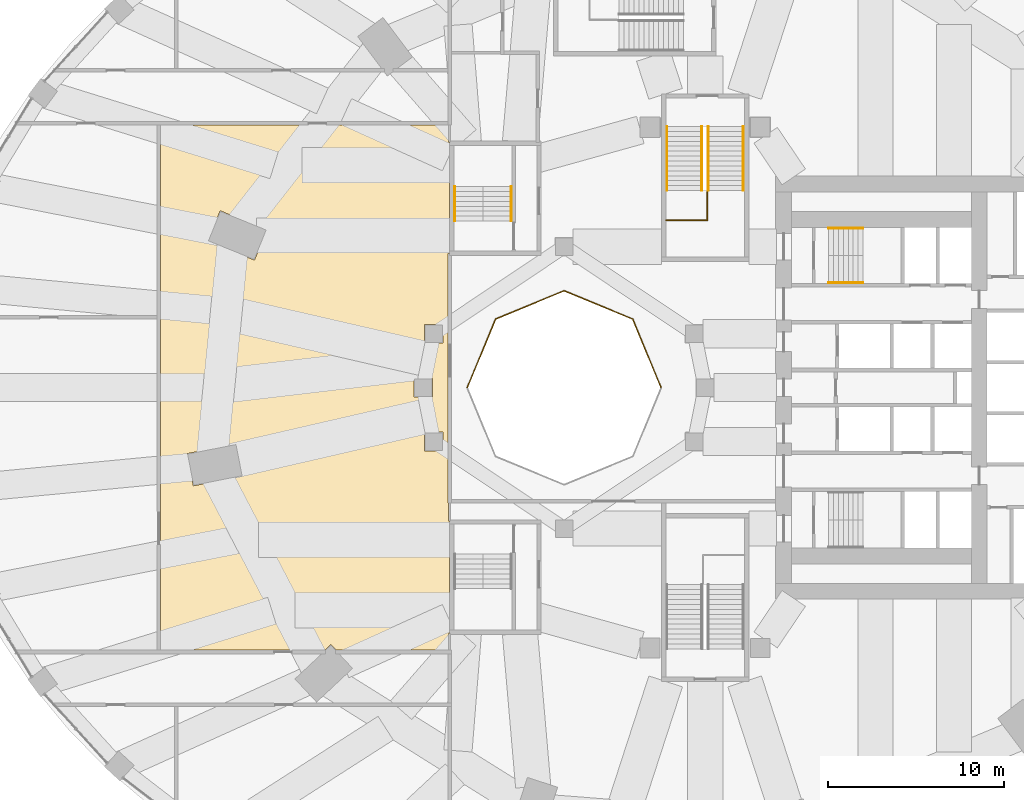
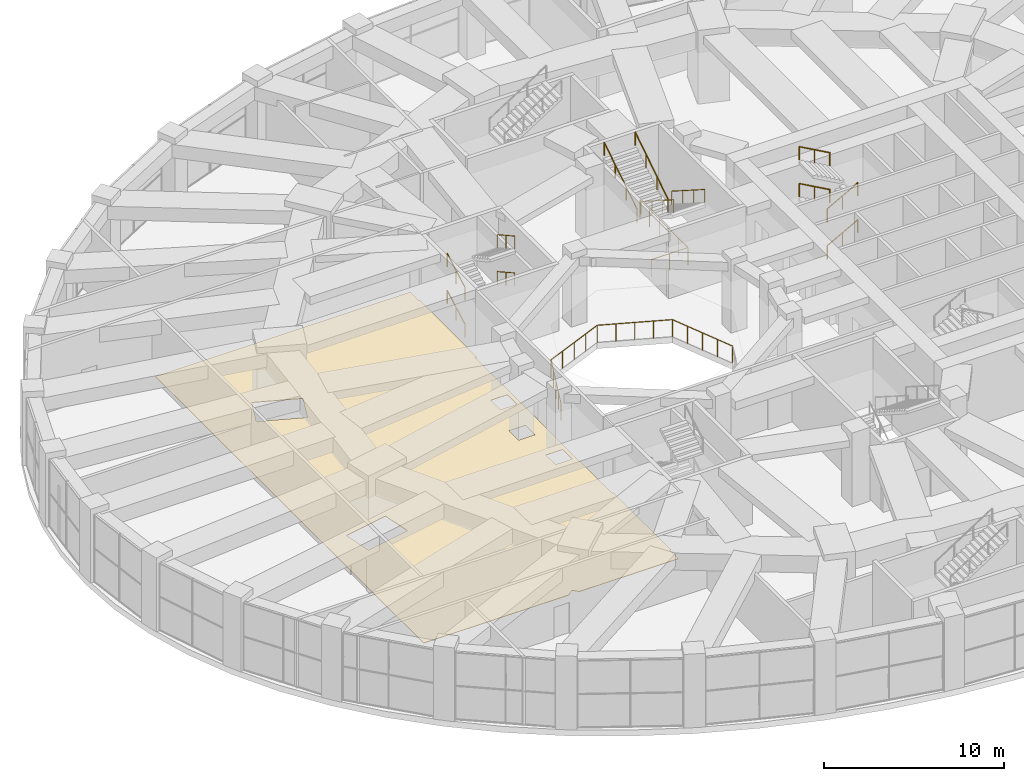
# One storey, part 29 of 32: 14 railings, 1 covering.
"""IFC4 building model written with IfcOpenShell, lengths in metres."""

from ifc_helpers import new_model, si_unit, direction, frame, origin, origin_2d, place, context, subcontext, project, spatial, polyline, circle, outline, extrude, material, layer, layer_set, type_object, element, save


model = new_model("IFC4")

# Units and contexts
model_context = context("Model", 3, precision=1e-05, world=origin(), true_north=direction((0.0, 1.0)))
body_context = subcontext(model_context, "Body", "Model", "MODEL_VIEW")
ifc_project = project(units=[si_unit("LENGTHUNIT", "METRE"), si_unit("AREAUNIT", "SQUARE_METRE"), si_unit("VOLUMEUNIT", "CUBIC_METRE"), si_unit("PLANEANGLEUNIT", "RADIAN"), si_unit("MASSUNIT", "GRAM", prefix="KILO")], contexts=[model_context])

# Site, building, storey
site_placement = place(None, origin())
site = spatial("IfcSite", under=ifc_project, at=site_placement, CompositionType="ELEMENT")
building_placement = place(site_placement, origin())
building = spatial("IfcBuilding", under=site, at=building_placement, Name="Taillehof Tower", CompositionType="ELEMENT")
storey_placement = place(building_placement, frame((0.0, 0.0, 7.5)))
storey = spatial("IfcBuildingStorey", under=building, at=storey_placement, Name="L01", CompositionType="ELEMENT", Elevation=7.5)

# Covering
ifc_material_1 = material(Name="Terrazzo floor finish")
ifc_layer = layer(ifc_material_1, 0.030029296875)
ifc_layer_set = layer_set([ifc_layer], Name="Floor finish 30 mm")
covering_type = type_object("IfcCoveringType", Name="Floor finish 30 mm", PredefinedType="FLOORING", material=ifc_layer_set)
covering_placement = place(storey_placement, origin())
element("IfcCovering", 1, at=covering_placement, inside=storey, type_object=covering_type, Name="Floor finish L01-20", PredefinedType="FLOORING", context=body_context, shape_type="SweptSolid", body=[
    extrude(outline(polyline([(-30.89990234375, -14.89990234375), (-30.89990234375, 3.89990234375), (-30.89990234375, 14.89990234375), (-14.60009765625, 14.89990234375), (-14.5625, 14.89990234375), (-14.5625, 13.9375), (-14.5, 13.9375), (-14.5, 7.60009765625), (-14.60009765625, 7.60009765625), (-14.60009765625, -6.550048828125), (-14.5625, -6.550048828125), (-14.5625, -7.5625), (-14.5, -7.5625), (-14.5, -13.9375), (-14.5625, -13.9375), (-14.5625, -14.89990234375), (-20.92724609375, -14.89990234375), (-21.211669921875, -14.59619140625), (-21.2138671875, -14.593994140625), (-21.216064453125, -14.59228515625), (-21.218505859375, -14.590576171875), (-21.22119140625, -14.58935546875), (-21.223876953125, -14.588134765625), (-21.226806640625, -14.58740234375), (-21.229736328125, -14.5869140625), (-21.232666015625, -14.586669921875), (-21.235595703125, -14.586669921875), (-21.238525390625, -14.5869140625), (-21.241455078125, -14.587646484375), (-21.244140625, -14.588623046875), (-21.246826171875, -14.589599609375), (-21.24951171875, -14.591064453125), (-21.251953125, -14.5927734375), (-21.254150390625, -14.5947265625), (-21.580322265625, -14.89990234375), (-30.89990234375, -14.89990234375)]), holes=[polyline([(-26.614990234375, -3.201904296875), (-26.617919921875, -3.201416015625), (-26.620849609375, -3.201416015625), (-26.623779296875, -3.201416015625), (-26.626708984375, -3.201904296875), (-29.3740234375, -3.7421875), (-29.376708984375, -3.742919921875), (-29.379638671875, -3.743896484375), (-29.38232421875, -3.7451171875), (-29.384765625, -3.746826171875), (-29.38720703125, -3.74853515625), (-29.389404296875, -3.75048828125), (-29.391357421875, -3.752685546875), (-29.39306640625, -3.7548828125), (-29.39453125, -3.757568359375), (-29.395751953125, -3.76025390625), (-29.39697265625, -3.762939453125), (-29.397705078125, -3.765869140625), (-29.39794921875, -3.768798828125), (-29.398193359375, -3.771728515625), (-29.39794921875, -3.774658203125), (-29.397705078125, -3.777587890625), (-29.05029296875, -5.543701171875), (-29.049560546875, -5.546630859375), (-29.048583984375, -5.54931640625), (-29.04736328125, -5.552001953125), (-29.0458984375, -5.554443359375), (-29.0439453125, -5.556884765625), (-29.0419921875, -5.55908203125), (-29.039794921875, -5.56103515625), (-29.03759765625, -5.562744140625), (-29.034912109375, -5.564208984375), (-29.032470703125, -5.565673828125), (-29.029541015625, -5.566650390625), (-29.02685546875, -5.5673828125), (-29.02392578125, -5.567626953125), (-29.02099609375, -5.56787109375), (-29.01806640625, -5.567626953125), (-29.01513671875, -5.5673828125), (-26.267578125, -5.02685546875), (-26.264892578125, -5.0263671875), (-26.261962890625, -5.025390625), (-26.25927734375, -5.02392578125), (-26.2568359375, -5.0224609375), (-26.25439453125, -5.020751953125), (-26.252197265625, -5.018798828125), (-26.250244140625, -5.0166015625), (-26.24853515625, -5.01416015625), (-26.2470703125, -5.01171875), (-26.245849609375, -5.009033203125), (-26.244873046875, -5.00634765625), (-26.244140625, -5.00341796875), (-26.24365234375, -5.00048828125), (-26.243408203125, -4.99755859375), (-26.24365234375, -4.99462890625), (-26.244140625, -4.99169921875), (-26.59130859375, -3.2255859375), (-26.592041015625, -3.22265625), (-26.593017578125, -3.219970703125), (-26.59423828125, -3.21728515625), (-26.595947265625, -3.21484375), (-26.59765625, -3.21240234375), (-26.599609375, -3.210205078125), (-26.601806640625, -3.208251953125), (-26.60400390625, -3.20654296875), (-26.606689453125, -3.204833984375), (-26.609375, -3.20361328125), (-26.612060546875, -3.20263671875), (-26.614990234375, -3.201904296875)]), polyline([(-15.902587890625, -3.589111328125), (-15.899658203125, -3.590087890625), (-15.89697265625, -3.5908203125), (-15.89404296875, -3.59130859375), (-15.89111328125, -3.591552734375), (-14.89111328125, -3.591552734375), (-14.88818359375, -3.59130859375), (-14.88525390625, -3.5908203125), (-14.88232421875, -3.590087890625), (-14.879638671875, -3.589111328125), (-14.876953125, -3.587890625), (-14.874267578125, -3.58642578125), (-14.8720703125, -3.584716796875), (-14.869873046875, -3.582763671875), (-14.867919921875, -3.58056640625), (-14.8662109375, -3.578125), (-14.864501953125, -3.57568359375), (-14.86328125, -3.572998046875), (-14.8623046875, -3.570068359375), (-14.861572265625, -3.5673828125), (-14.861083984375, -3.564453125), (-14.861083984375, -3.5615234375), (-14.861083984375, -2.5615234375), (-14.861083984375, -2.55859375), (-14.861572265625, -2.5556640625), (-14.8623046875, -2.552734375), (-14.86328125, -2.550048828125), (-14.864501953125, -2.54736328125), (-14.8662109375, -2.544921875), (-14.867919921875, -2.54248046875), (-14.869873046875, -2.540283203125), (-14.8720703125, -2.538330078125), (-14.874267578125, -2.53662109375), (-14.876953125, -2.534912109375), (-14.879638671875, -2.53369140625), (-14.88232421875, -2.53271484375), (-14.88525390625, -2.531982421875), (-14.88818359375, -2.531494140625), (-14.89111328125, -2.531494140625), (-15.89111328125, -2.531494140625), (-15.89404296875, -2.531494140625), (-15.89697265625, -2.531982421875), (-15.899658203125, -2.53271484375), (-15.902587890625, -2.53369140625), (-15.9052734375, -2.534912109375), (-15.90771484375, -2.53662109375), (-15.91015625, -2.538330078125), (-15.912353515625, -2.540283203125), (-15.914306640625, -2.54248046875), (-15.916015625, -2.544921875), (-15.91748046875, -2.54736328125), (-15.918701171875, -2.550048828125), (-15.919677734375, -2.552734375), (-15.92041015625, -2.5556640625), (-15.9208984375, -2.55859375), (-15.921142578125, -2.5615234375), (-15.921142578125, -3.5615234375), (-15.9208984375, -3.564453125), (-15.92041015625, -3.5673828125), (-15.919677734375, -3.570068359375), (-15.918701171875, -3.572998046875), (-15.91748046875, -3.57568359375), (-15.916015625, -3.578125), (-15.914306640625, -3.58056640625), (-15.912353515625, -3.582763671875), (-15.91015625, -3.584716796875), (-15.90771484375, -3.58642578125), (-15.9052734375, -3.587890625), (-15.902587890625, -3.589111328125)]), polyline([(-16.511474609375, -0.52783203125), (-16.5087890625, -0.52880859375), (-16.505859375, -0.529541015625), (-16.5029296875, -0.52978515625), (-16.5, -0.530029296875), (-15.5, -0.530029296875), (-15.4970703125, -0.52978515625), (-15.494140625, -0.529541015625), (-15.4912109375, -0.52880859375), (-15.488525390625, -0.52783203125), (-15.48583984375, -0.5263671875), (-15.4833984375, -0.52490234375), (-15.48095703125, -0.523193359375), (-15.478759765625, -0.521240234375), (-15.476806640625, -0.51904296875), (-15.47509765625, -0.5166015625), (-15.4736328125, -0.51416015625), (-15.47216796875, -0.511474609375), (-15.47119140625, -0.5087890625), (-15.470458984375, -0.505859375), (-15.47021484375, -0.5029296875), (-15.469970703125, -0.5), (-15.469970703125, 0.5), (-15.47021484375, 0.5029296875), (-15.470458984375, 0.505859375), (-15.47119140625, 0.5087890625), (-15.47216796875, 0.511474609375), (-15.4736328125, 0.51416015625), (-15.47509765625, 0.5166015625), (-15.476806640625, 0.51904296875), (-15.478759765625, 0.521240234375), (-15.48095703125, 0.523193359375), (-15.4833984375, 0.52490234375), (-15.48583984375, 0.5263671875), (-15.488525390625, 0.52783203125), (-15.4912109375, 0.52880859375), (-15.494140625, 0.529541015625), (-15.4970703125, 0.52978515625), (-15.5, 0.530029296875), (-16.5, 0.530029296875), (-16.5029296875, 0.52978515625), (-16.505859375, 0.529541015625), (-16.5087890625, 0.52880859375), (-16.511474609375, 0.52783203125), (-16.51416015625, 0.5263671875), (-16.5166015625, 0.52490234375), (-16.51904296875, 0.523193359375), (-16.521240234375, 0.521240234375), (-16.523193359375, 0.51904296875), (-16.52490234375, 0.5166015625), (-16.5263671875, 0.51416015625), (-16.52783203125, 0.511474609375), (-16.52880859375, 0.5087890625), (-16.529541015625, 0.505859375), (-16.52978515625, 0.5029296875), (-16.530029296875, 0.5), (-16.530029296875, -0.5), (-16.52978515625, -0.5029296875), (-16.529541015625, -0.505859375), (-16.52880859375, -0.5087890625), (-16.52783203125, -0.511474609375), (-16.5263671875, -0.51416015625), (-16.52490234375, -0.5166015625), (-16.523193359375, -0.51904296875), (-16.521240234375, -0.521240234375), (-16.51904296875, -0.523193359375), (-16.5166015625, -0.52490234375), (-16.51416015625, -0.5263671875), (-16.511474609375, -0.52783203125)]), polyline([(-15.902587890625, 2.53369140625), (-15.899658203125, 2.53271484375), (-15.89697265625, 2.531982421875), (-15.89404296875, 2.531494140625), (-15.89111328125, 2.531494140625), (-14.89111328125, 2.531494140625), (-14.88818359375, 2.531494140625), (-14.88525390625, 2.531982421875), (-14.88232421875, 2.53271484375), (-14.879638671875, 2.53369140625), (-14.876953125, 2.534912109375), (-14.874267578125, 2.53662109375), (-14.8720703125, 2.538330078125), (-14.869873046875, 2.540283203125), (-14.867919921875, 2.54248046875), (-14.8662109375, 2.544921875), (-14.864501953125, 2.54736328125), (-14.86328125, 2.550048828125), (-14.8623046875, 2.552734375), (-14.861572265625, 2.5556640625), (-14.861083984375, 2.55859375), (-14.861083984375, 2.5615234375), (-14.861083984375, 3.5615234375), (-14.861083984375, 3.564453125), (-14.861572265625, 3.5673828125), (-14.8623046875, 3.570068359375), (-14.86328125, 3.572998046875), (-14.864501953125, 3.57568359375), (-14.8662109375, 3.578125), (-14.867919921875, 3.58056640625), (-14.869873046875, 3.582763671875), (-14.8720703125, 3.584716796875), (-14.874267578125, 3.58642578125), (-14.876953125, 3.587890625), (-14.879638671875, 3.589111328125), (-14.88232421875, 3.590087890625), (-14.88525390625, 3.5908203125), (-14.88818359375, 3.59130859375), (-14.89111328125, 3.591552734375), (-15.89111328125, 3.591552734375), (-15.89404296875, 3.59130859375), (-15.89697265625, 3.5908203125), (-15.899658203125, 3.590087890625), (-15.902587890625, 3.589111328125), (-15.9052734375, 3.587890625), (-15.90771484375, 3.58642578125), (-15.91015625, 3.584716796875), (-15.912353515625, 3.582763671875), (-15.914306640625, 3.58056640625), (-15.916015625, 3.578125), (-15.91748046875, 3.57568359375), (-15.918701171875, 3.572998046875), (-15.919677734375, 3.570068359375), (-15.92041015625, 3.5673828125), (-15.9208984375, 3.564453125), (-15.921142578125, 3.5615234375), (-15.921142578125, 2.5615234375), (-15.9208984375, 2.55859375), (-15.92041015625, 2.5556640625), (-15.919677734375, 2.552734375), (-15.918701171875, 2.550048828125), (-15.91748046875, 2.54736328125), (-15.916015625, 2.544921875), (-15.914306640625, 2.54248046875), (-15.912353515625, 2.540283203125), (-15.91015625, 2.538330078125), (-15.90771484375, 2.53662109375), (-15.9052734375, 2.534912109375), (-15.902587890625, 2.53369140625)]), polyline([(-24.8896484375, 8.964599609375), (-24.891845703125, 8.966552734375), (-24.89404296875, 8.96826171875), (-24.896728515625, 8.969970703125), (-24.8994140625, 8.97119140625), (-27.49365234375, 10.0244140625), (-27.496337890625, 10.025390625), (-27.499267578125, 10.02587890625), (-27.502197265625, 10.0263671875), (-27.505126953125, 10.026611328125), (-27.508056640625, 10.0263671875), (-27.510986328125, 10.02587890625), (-27.513916015625, 10.025146484375), (-27.5166015625, 10.024169921875), (-27.519287109375, 10.02294921875), (-27.521728515625, 10.021240234375), (-27.524169921875, 10.01953125), (-27.5263671875, 10.017578125), (-27.5283203125, 10.015380859375), (-27.530029296875, 10.012939453125), (-27.531494140625, 10.010498046875), (-27.53271484375, 10.0078125), (-28.209716796875, 8.340087890625), (-28.210693359375, 8.337158203125), (-28.21142578125, 8.33447265625), (-28.2119140625, 8.33154296875), (-28.2119140625, 8.32861328125), (-28.2119140625, 8.32568359375), (-28.21142578125, 8.32275390625), (-28.210693359375, 8.31982421875), (-28.209716796875, 8.317138671875), (-28.20849609375, 8.314453125), (-28.206787109375, 8.311767578125), (-28.205078125, 8.3095703125), (-28.203125, 8.307373046875), (-28.200927734375, 8.305419921875), (-28.198486328125, 8.3037109375), (-28.196044921875, 8.30224609375), (-28.193359375, 8.301025390625), (-25.598876953125, 7.247802734375), (-25.59619140625, 7.246826171875), (-25.59326171875, 7.24609375), (-25.59033203125, 7.24560546875), (-25.58740234375, 7.24560546875), (-25.58447265625, 7.24560546875), (-25.58154296875, 7.24609375), (-25.578857421875, 7.246826171875), (-25.575927734375, 7.247802734375), (-25.5732421875, 7.2490234375), (-25.57080078125, 7.250732421875), (-25.568359375, 7.25244140625), (-25.56640625, 7.25439453125), (-25.564453125, 7.256591796875), (-25.5625, 7.259033203125), (-25.56103515625, 7.261474609375), (-25.559814453125, 7.26416015625), (-24.8828125, 8.93212890625), (-24.8818359375, 8.934814453125), (-24.881103515625, 8.937744140625), (-24.880615234375, 8.940673828125), (-24.880615234375, 8.943603515625), (-24.880859375, 8.946533203125), (-24.881103515625, 8.949462890625), (-24.8818359375, 8.9521484375), (-24.883056640625, 8.955078125), (-24.88427734375, 8.95751953125), (-24.8857421875, 8.960205078125), (-24.887451171875, 8.96240234375), (-24.8896484375, 8.964599609375)])]), origin(), (0.0, 0.0, 1.0), 0.030029296875),
])

# Railings
ifc_material_2 = material(Name="Stainless steel and laminated glass", Category="steel")
railing_type_1 = type_object("IfcRailingType", Name="Guard 1200 mm", PredefinedType="GUARDRAIL", material=ifc_material_2)
railing_1_placement = place(storey_placement, frame((-2.5, 0.0, 0.0)))
element("IfcRailing", 2, at=railing_1_placement, inside=storey, type_object=railing_type_1, Name="Guard atrium", PredefinedType="GUARDRAIL", context=body_context, shape_type="SweptSolid", body=[
    extrude(circle(Radius=0.02392578125, at=origin_2d()), frame((0.0, 0.0, 1.17578125), z_axis=(-0.38266253946, 0.923888186359, 0.0), x_axis=(-0.923888186359, -0.38266253946, 0.0)), (0.0, 0.0, 1.0), 4.20947265625),
    extrude(circle(Radius=0.02392578125, at=origin_2d()), frame((-1.61083984375, 3.88916015625, 1.17578125), z_axis=(-0.923888186359, 0.38266253946, 0.0), x_axis=(-0.38266253946, -0.923888186359, 0.0)), (0.0, 0.0, 1.0), 4.20947265625),
    extrude(circle(Radius=0.02392578125, at=origin_2d()), frame((-5.5, 5.5, 1.17578125), z_axis=(-0.923888186359, -0.38266253946, 0.0), x_axis=(0.38266253946, -0.923888186359, 0.0)), (0.0, 0.0, 1.0), 4.20947265625),
    extrude(circle(Radius=0.02392578125, at=origin_2d()), frame((-9.38916015625, 3.88916015625, 1.17578125), z_axis=(-0.38266253946, -0.923888186359, 0.0), x_axis=(0.923888186359, -0.38266253946, 0.0)), (0.0, 0.0, 1.0), 4.20947265625),
    extrude(circle(Radius=0.02099609375, at=origin_2d()), origin(), (0.0, 0.0, 1.0), 1.15185546875),
    extrude(circle(Radius=0.02099609375, at=origin_2d()), frame((-0.40283203125, 0.97216796875, 0.0)), (0.0, 0.0, 1.0), 1.15185546875),
    extrude(circle(Radius=0.02099609375, at=origin_2d()), frame((-0.805419921875, 1.944580078125, 0.0)), (0.0, 0.0, 1.0), 1.15185546875),
    extrude(circle(Radius=0.02099609375, at=origin_2d()), frame((-1.2080078125, 2.9169921875, 0.0)), (0.0, 0.0, 1.0), 1.15185546875),
    extrude(circle(Radius=0.02099609375, at=origin_2d()), frame((-1.61083984375, 3.88916015625, 0.0)), (0.0, 0.0, 1.0), 1.15185546875),
    extrude(circle(Radius=0.02099609375, at=origin_2d()), frame((-2.5830078125, 4.2919921875, 0.0)), (0.0, 0.0, 1.0), 1.15185546875),
    extrude(circle(Radius=0.02099609375, at=origin_2d()), frame((-3.555419921875, 4.694580078125, 0.0)), (0.0, 0.0, 1.0), 1.15185546875),
    extrude(circle(Radius=0.02099609375, at=origin_2d()), frame((-4.52783203125, 5.09716796875, 0.0)), (0.0, 0.0, 1.0), 1.15185546875),
    extrude(circle(Radius=0.02099609375, at=origin_2d()), frame((-5.5, 5.5, 0.0)), (0.0, 0.0, 1.0), 1.15185546875),
    extrude(circle(Radius=0.02099609375, at=origin_2d()), frame((-6.47216796875, 5.09716796875, 0.0)), (0.0, 0.0, 1.0), 1.15185546875),
    extrude(circle(Radius=0.02099609375, at=origin_2d()), frame((-7.444580078125, 4.694580078125, 0.0)), (0.0, 0.0, 1.0), 1.15185546875),
    extrude(circle(Radius=0.02099609375, at=origin_2d()), frame((-8.4169921875, 4.2919921875, 0.0)), (0.0, 0.0, 1.0), 1.15185546875),
    extrude(circle(Radius=0.02099609375, at=origin_2d()), frame((-9.38916015625, 3.88916015625, 0.0)), (0.0, 0.0, 1.0), 1.15185546875),
    extrude(circle(Radius=0.02099609375, at=origin_2d()), frame((-9.7919921875, 2.9169921875, 0.0)), (0.0, 0.0, 1.0), 1.15185546875),
    extrude(circle(Radius=0.02099609375, at=origin_2d()), frame((-10.194580078125, 1.944580078125, 0.0)), (0.0, 0.0, 1.0), 1.15185546875),
    extrude(circle(Radius=0.02099609375, at=origin_2d()), frame((-10.59716796875, 0.97216796875, 0.0)), (0.0, 0.0, 1.0), 1.15185546875),
    extrude(circle(Radius=0.02099609375, at=origin_2d()), frame((-11.0, 0.0, 0.0)), (0.0, 0.0, 1.0), 1.15185546875),
])
railing_2_placement = place(storey_placement, frame((0.125, 14.820068359375, 0.0)))
element("IfcRailing", 3, at=railing_2_placement, inside=storey, type_object=railing_type_1, Name="Guard P1", PredefinedType="GUARDRAIL", context=body_context, shape_type="SweptSolid", body=[
    extrude(circle(Radius=0.02392578125, at=origin_2d()), frame((0.0, 0.0, 1.17578125), z_axis=(0.0, -1.0, 0.0), x_axis=(1.0, 0.0, 0.0)), (0.0, 0.0, 1.0), 5.320068359375),
    extrude(circle(Radius=0.02392578125, at=origin_2d()), frame((0.0, -5.320068359375, 1.17578125), z_axis=(-1.0, 0.0, 0.0), x_axis=(0.0, -1.0, 0.0)), (0.0, 0.0, 1.0), 2.35009765625),
    extrude(circle(Radius=0.02099609375, at=origin_2d()), origin(), (0.0, 0.0, 1.0), 1.15185546875),
    extrude(circle(Radius=0.02099609375, at=origin_2d()), frame((0.0, -1.06396484375, 0.0)), (0.0, 0.0, 1.0), 1.15185546875),
    extrude(circle(Radius=0.02099609375, at=origin_2d()), frame((0.0, -2.1279296875, 0.0)), (0.0, 0.0, 1.0), 1.15185546875),
    extrude(circle(Radius=0.02099609375, at=origin_2d()), frame((0.0, -3.192138671875, 0.0)), (0.0, 0.0, 1.0), 1.15185546875),
    extrude(circle(Radius=0.02099609375, at=origin_2d()), frame((0.0, -4.256103515625, 0.0)), (0.0, 0.0, 1.0), 1.15185546875),
    extrude(circle(Radius=0.02099609375, at=origin_2d()), frame((0.0, -5.320068359375, 0.0)), (0.0, 0.0, 1.0), 1.15185546875),
    extrude(circle(Radius=0.02099609375, at=origin_2d()), frame((-1.175048828125, -5.320068359375, 0.0)), (0.0, 0.0, 1.0), 1.15185546875),
    extrude(circle(Radius=0.02099609375, at=origin_2d()), frame((-2.35009765625, -5.320068359375, 0.0)), (0.0, 0.0, 1.0), 1.15185546875),
])
ifc_material_3 = material(Name="Stainless steel tube", Category="steel")
railing_type_2 = type_object("IfcRailingType", Name="Handrail 900 mm", PredefinedType="HANDRAIL", material=ifc_material_3)
for number, where, name in (
    (4, (2.1650390625, 14.820068359375, 0.1787109375), "Handrail P1"),
    (5, (0.18505859375, 14.820068359375, 0.1787109375), "Handrail P1"),
):
    element("IfcRailing", number, at=place(storey_placement, frame(where)), inside=storey, type_object=railing_type_2, Name=name, PredefinedType="HANDRAIL", context=body_context, shape_type="SweptSolid", body=[
        extrude(circle(Radius=0.02392578125, at=origin_2d()), frame((0.0, 0.0, 0.8759765625), z_axis=(0.0, -0.843153495434, 0.537672933239), x_axis=(1.0, 0.0, 0.0)), (0.0, 0.0, 1.0), 4.3173828125),
        extrude(circle(Radius=0.02099609375, at=origin_2d()), origin(), (0.0, 0.0, 1.0), 0.851806640625),
        extrude(circle(Radius=0.02099609375, at=origin_2d()), frame((0.0, -1.21337890625, 0.773681640625)), (0.0, 0.0, 1.0), 0.851806640625),
        extrude(circle(Radius=0.02099609375, at=origin_2d()), frame((0.0, -2.4267578125, 1.547607421875)), (0.0, 0.0, 1.0), 0.851806640625),
        extrude(circle(Radius=0.02099609375, at=origin_2d()), frame((0.0, -3.64013671875, 2.3212890625)), (0.0, 0.0, 1.0), 0.851806640625),
    ])
for number, where, name in (
    (6, (-0.18505859375, 11.179931640625, 2.6787109375), "Handrail P1"),
    (7, (-2.1650390625, 11.179931640625, 2.6787109375), "Handrail P1"),
):
    element("IfcRailing", number, at=place(storey_placement, frame(where)), inside=storey, type_object=railing_type_2, Name=name, PredefinedType="HANDRAIL", context=body_context, shape_type="SweptSolid", body=[
        extrude(circle(Radius=0.02392578125, at=origin_2d()), frame((0.0, 0.0, 0.8759765625), z_axis=(0.0, 0.843153495434, 0.537672933239), x_axis=(-1.0, 0.0, 0.0)), (0.0, 0.0, 1.0), 4.3173828125),
        extrude(circle(Radius=0.02099609375, at=origin_2d()), origin(), (0.0, 0.0, 1.0), 0.851806640625),
        extrude(circle(Radius=0.02099609375, at=origin_2d()), frame((0.0, 1.21337890625, 0.773681640625)), (0.0, 0.0, 1.0), 0.851806640625),
        extrude(circle(Radius=0.02099609375, at=origin_2d()), frame((0.0, 2.4267578125, 1.547607421875)), (0.0, 0.0, 1.0), 0.851806640625),
        extrude(circle(Radius=0.02099609375, at=origin_2d()), frame((0.0, 3.64013671875, 2.3212890625)), (0.0, 0.0, 1.0), 0.851806640625),
    ])
ifc_material_4 = material(Name="Stainless steel", Category="steel")
railing_type_3 = type_object("IfcRailingType", Name="Stair handrail 900", PredefinedType="HANDRAIL", material=ifc_material_4)
railing_3_placement = place(storey_placement, frame((7.0, 5.949951171875, 0.15625)))
element("IfcRailing", 8, at=railing_3_placement, inside=storey, type_object=railing_type_3, Name="Stair S1 handrail", PredefinedType="HANDRAIL", context=body_context, shape_type="SweptSolid", body=[
    extrude(circle(Radius=0.02392578125, at=origin_2d()), frame((0.0, 0.0, 0.8759765625), z_axis=(0.873232148454, 0.0, 0.487304437602), x_axis=(0.0, 1.0, 0.0)), (0.0, 0.0, 1.0), 2.244384765625),
    extrude(circle(Radius=0.02099609375, at=origin_2d()), origin(), (0.0, 0.0, 1.0), 0.851806640625),
    extrude(circle(Radius=0.02099609375, at=origin_2d()), frame((0.97998046875, 0.0, 0.546875)), (0.0, 0.0, 1.0), 0.851806640625),
    extrude(circle(Radius=0.02099609375, at=origin_2d()), frame((1.9599609375, 0.0, 1.09375)), (0.0, 0.0, 1.0), 0.851806640625),
])
railing_4_placement = place(storey_placement, frame((8.9599609375, 9.050048828125, 1.40625)))
element("IfcRailing", 9, at=railing_4_placement, inside=storey, type_object=railing_type_3, Name="Stair S1 handrail", PredefinedType="HANDRAIL", context=body_context, shape_type="SweptSolid", body=[
    extrude(circle(Radius=0.02392578125, at=origin_2d()), frame((0.0, 0.0, 0.8759765625), z_axis=(-0.873232148454, 0.0, 0.487304437602), x_axis=(0.0, -1.0, 0.0)), (0.0, 0.0, 1.0), 2.244384765625),
    extrude(circle(Radius=0.02099609375, at=origin_2d()), origin(), (0.0, 0.0, 1.0), 0.851806640625),
    extrude(circle(Radius=0.02099609375, at=origin_2d()), frame((-0.97998046875, 0.0, 0.546875)), (0.0, 0.0, 1.0), 0.851806640625),
    extrude(circle(Radius=0.02099609375, at=origin_2d()), frame((-1.9599609375, 0.0, 1.09375)), (0.0, 0.0, 1.0), 0.851806640625),
])
railing_5_placement = place(storey_placement, frame((7.0, 5.949951171875, 2.65625)))
element("IfcRailing", 10, at=railing_5_placement, inside=storey, type_object=railing_type_3, Name="Stair S1 handrail", PredefinedType="HANDRAIL", context=body_context, shape_type="SweptSolid", body=[
    extrude(circle(Radius=0.02392578125, at=origin_2d()), frame((0.0, 0.0, 0.8759765625), z_axis=(0.873232148454, 0.0, 0.487304437602), x_axis=(0.0, 1.0, 0.0)), (0.0, 0.0, 1.0), 2.244384765625),
    extrude(circle(Radius=0.02099609375, at=origin_2d()), origin(), (0.0, 0.0, 1.0), 0.851806640625),
    extrude(circle(Radius=0.02099609375, at=origin_2d()), frame((0.97998046875, 0.0, 0.546875)), (0.0, 0.0, 1.0), 0.851806640625),
    extrude(circle(Radius=0.02099609375, at=origin_2d()), frame((1.9599609375, 0.0, 1.09375)), (0.0, 0.0, 1.0), 0.851806640625),
])
railing_6_placement = place(storey_placement, frame((8.9599609375, 9.050048828125, 3.90625)))
element("IfcRailing", 11, at=railing_6_placement, inside=storey, type_object=railing_type_3, Name="Stair S1 handrail", PredefinedType="HANDRAIL", context=body_context, shape_type="SweptSolid", body=[
    extrude(circle(Radius=0.02392578125, at=origin_2d()), frame((0.0, 0.0, 0.8759765625), z_axis=(-0.873232148454, 0.0, 0.487304437602), x_axis=(0.0, -1.0, 0.0)), (0.0, 0.0, 1.0), 2.244384765625),
    extrude(circle(Radius=0.02099609375, at=origin_2d()), origin(), (0.0, 0.0, 1.0), 0.851806640625),
    extrude(circle(Radius=0.02099609375, at=origin_2d()), frame((-0.97998046875, 0.0, 0.546875)), (0.0, 0.0, 1.0), 0.851806640625),
    extrude(circle(Radius=0.02099609375, at=origin_2d()), frame((-1.9599609375, 0.0, 1.09375)), (0.0, 0.0, 1.0), 0.851806640625),
])
railing_7_placement = place(storey_placement, frame((-14.199951171875, 9.449951171875, 0.15625)))
element("IfcRailing", 12, at=railing_7_placement, inside=storey, type_object=railing_type_3, Name="Stair S3 handrail", PredefinedType="HANDRAIL", context=body_context, shape_type="SweptSolid", body=[
    extrude(circle(Radius=0.02392578125, at=origin_2d()), frame((0.0, 0.0, 0.8759765625), z_axis=(0.0, 0.873232148454, 0.487304437602), x_axis=(-1.0, 0.0, 0.0)), (0.0, 0.0, 1.0), 2.244384765625),
    extrude(circle(Radius=0.02099609375, at=origin_2d()), origin(), (0.0, 0.0, 1.0), 0.851806640625),
    extrude(circle(Radius=0.02099609375, at=origin_2d()), frame((0.0, 0.97998046875, 0.546875)), (0.0, 0.0, 1.0), 0.851806640625),
    extrude(circle(Radius=0.02099609375, at=origin_2d()), frame((0.0, 1.9599609375, 1.09375)), (0.0, 0.0, 1.0), 0.851806640625),
])
railing_8_placement = place(storey_placement, frame((-11.0, 11.409912109375, 1.40625)))
element("IfcRailing", 13, at=railing_8_placement, inside=storey, type_object=railing_type_3, Name="Stair S3 handrail", PredefinedType="HANDRAIL", context=body_context, shape_type="SweptSolid", body=[
    extrude(circle(Radius=0.02392578125, at=origin_2d()), frame((0.0, 0.0, 0.8759765625), z_axis=(0.0, -0.873232148454, 0.487304437602), x_axis=(1.0, 0.0, 0.0)), (0.0, 0.0, 1.0), 2.244384765625),
    extrude(circle(Radius=0.02099609375, at=origin_2d()), origin(), (0.0, 0.0, 1.0), 0.851806640625),
    extrude(circle(Radius=0.02099609375, at=origin_2d()), frame((0.0, -0.97998046875, 0.546875)), (0.0, 0.0, 1.0), 0.851806640625),
    extrude(circle(Radius=0.02099609375, at=origin_2d()), frame((0.0, -1.9599609375, 1.09375)), (0.0, 0.0, 1.0), 0.851806640625),
])
railing_9_placement = place(storey_placement, frame((-14.199951171875, 9.449951171875, 2.65625)))
element("IfcRailing", 14, at=railing_9_placement, inside=storey, type_object=railing_type_3, Name="Stair S3 handrail", PredefinedType="HANDRAIL", context=body_context, shape_type="SweptSolid", body=[
    extrude(circle(Radius=0.02392578125, at=origin_2d()), frame((0.0, 0.0, 0.8759765625), z_axis=(0.0, 0.873232148454, 0.487304437602), x_axis=(-1.0, 0.0, 0.0)), (0.0, 0.0, 1.0), 2.244384765625),
    extrude(circle(Radius=0.02099609375, at=origin_2d()), origin(), (0.0, 0.0, 1.0), 0.851806640625),
    extrude(circle(Radius=0.02099609375, at=origin_2d()), frame((0.0, 0.97998046875, 0.546875)), (0.0, 0.0, 1.0), 0.851806640625),
    extrude(circle(Radius=0.02099609375, at=origin_2d()), frame((0.0, 1.9599609375, 1.09375)), (0.0, 0.0, 1.0), 0.851806640625),
])
railing_10_placement = place(storey_placement, frame((-11.0, 11.409912109375, 3.90625)))
element("IfcRailing", 15, at=railing_10_placement, inside=storey, type_object=railing_type_3, Name="Stair S3 handrail", PredefinedType="HANDRAIL", context=body_context, shape_type="SweptSolid", body=[
    extrude(circle(Radius=0.02392578125, at=origin_2d()), frame((0.0, 0.0, 0.8759765625), z_axis=(0.0, -0.873232148454, 0.487304437602), x_axis=(1.0, 0.0, 0.0)), (0.0, 0.0, 1.0), 2.244384765625),
    extrude(circle(Radius=0.02099609375, at=origin_2d()), origin(), (0.0, 0.0, 1.0), 0.851806640625),
    extrude(circle(Radius=0.02099609375, at=origin_2d()), frame((0.0, -0.97998046875, 0.546875)), (0.0, 0.0, 1.0), 0.851806640625),
    extrude(circle(Radius=0.02099609375, at=origin_2d()), frame((0.0, -1.9599609375, 1.09375)), (0.0, 0.0, 1.0), 0.851806640625),
])

save(model, "model.ifc")
